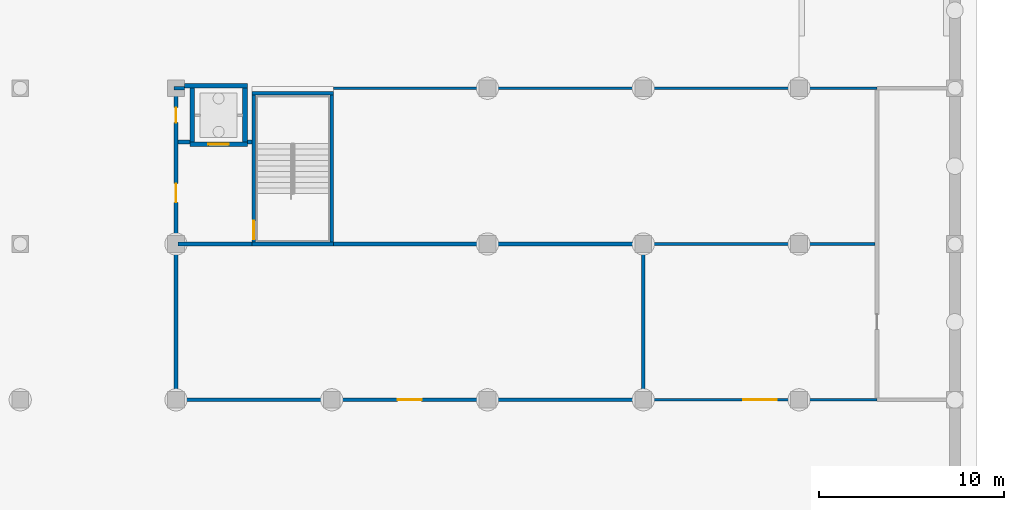
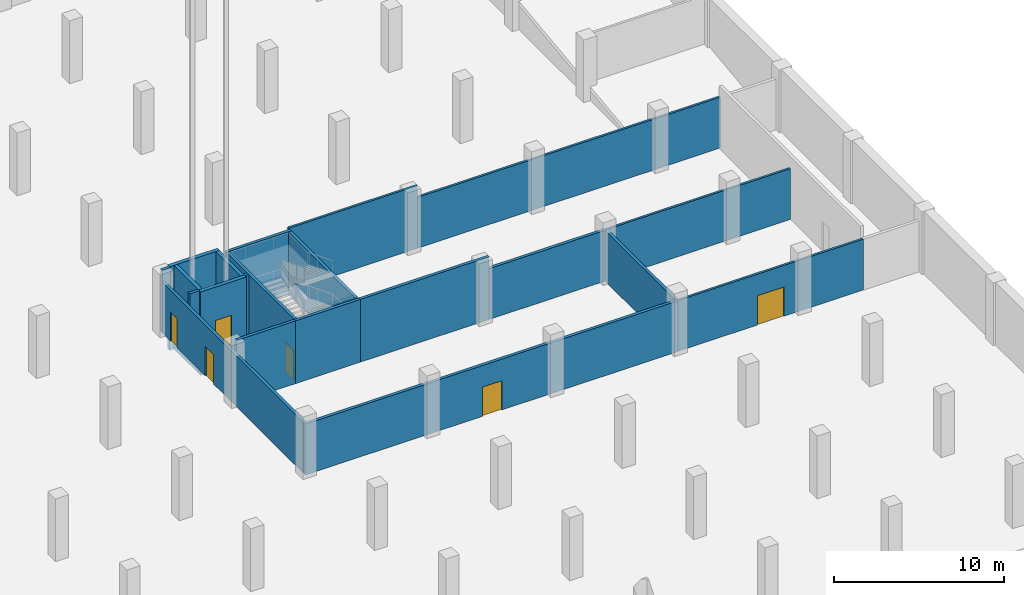
# One storey, part 5 of 26: 21 walls, 6 doors, 6 openings.
"""IFC4 building model written with IfcOpenShell, lengths in metres."""

from ifc_helpers import new_model, si_unit, direction, frame, frame_2d, origin, place, context, subcontext, project, spatial, rectangle, extrude, material, layer, layer_set, type_object, element, fill, save


model = new_model("IFC4")

# Units and contexts
model_context = context("Model", 3, precision=1e-05, world=origin(), true_north=direction((0.0, 1.0)))
body_context = subcontext(model_context, "Body", "Model", "MODEL_VIEW")
ifc_project = project(units=[si_unit("LENGTHUNIT", "METRE"), si_unit("AREAUNIT", "SQUARE_METRE"), si_unit("VOLUMEUNIT", "CUBIC_METRE"), si_unit("PLANEANGLEUNIT", "RADIAN"), si_unit("MASSUNIT", "GRAM", prefix="KILO")], contexts=[model_context])

# Site, building, storey
site_placement = place(None, origin())
site = spatial("IfcSite", under=ifc_project, at=site_placement, CompositionType="ELEMENT")
building_placement = place(site_placement, origin())
building = spatial("IfcBuilding", under=site, at=building_placement, Name="Rulbaag Community and Learning Centre", CompositionType="ELEMENT")
storey_placement = place(building_placement, frame((0.0, 0.0, -9.60009765625)))
storey = spatial("IfcBuildingStorey", under=building, at=storey_placement, Name="B2", CompositionType="ELEMENT", Elevation=-9.60009765625)

# Wall, opening, door
ifc_material_1 = material(Name="Concrete blockwork", Category="masonry")
ifc_layer_1 = layer(ifc_material_1, 0.199951171875)
ifc_layer_set_1 = layer_set([ifc_layer_1], Name="FW-200 FIRE WALL 200")
wall_type_1 = type_object("IfcWallType", Name="FW-200 FIRE WALL 200", PredefinedType="SOLIDWALL", material=ifc_layer_set_1)
wall_1_placement = place(storey_placement, frame((125.89990234375, 33.60009765625, 0.0), z_axis=(0.0, 0.0, 1.0), x_axis=(1.0, 0.0, 0.0)))
wall_1 = element("IfcWall", 1, at=wall_1_placement, inside=storey, type_object=wall_type_1, Name="Fire wall B2 1", PredefinedType="SOLIDWALL", context=body_context, shape_type="SweptSolid", body=[
    extrude(rectangle(XDim=25.300048828125, YDim=0.199951171875, at=frame_2d((12.64990234375, 0.0))), origin(), (0.0, 0.0, 1.0), 3.650146484375),
])
opening_1_placement = place(wall_1_placement, frame((12.050048828125, 0.0, 0.0)))
opening_1 = element("IfcOpeningElement", 2, at=opening_1_placement, cuts=wall_1, Name="Opening B2-D005", PredefinedType="OPENING", context=body_context, shape_type="SweptSolid", body=[
    extrude(rectangle(XDim=1.300048828125, YDim=2.10009765625, at=frame_2d((0.64990234375, 1.050048828125))), frame((0.0, 0.10986328125, 0.0), z_axis=(0.0, -1.0, 0.0), x_axis=(1.0, 0.0, 0.0)), (0.0, 0.0, 1.0), 0.219970703125),
])
ifc_material_2 = material(Name="Timber", Category="wood")
door_type_1 = type_object("IfcDoorType", Name="D-1300 REFUSE AND PUMP ROOM DOOR 1300 x 2100", OperationType="SINGLE_SWING_LEFT", PredefinedType="DOOR", material=ifc_material_2)
door_1_placement = place(opening_1_placement, origin())
door_1 = element("IfcDoor", 3, at=door_1_placement, inside=storey, type_object=door_type_1, Name="Door B2-D005", OperationType="SINGLE_SWING_LEFT", OverallHeight=2.10009765625, OverallWidth=1.300048828125, PredefinedType="DOOR", context=body_context, shape_type="SweptSolid", body=[
    extrude(rectangle(XDim=1.300048828125, YDim=2.10009765625, at=frame_2d((0.64990234375, 1.050048828125))), frame((0.0, 0.02490234375, 0.0), z_axis=(0.0, -1.0, 0.0), x_axis=(1.0, 0.0, 0.0)), (0.0, 0.0, 1.0), 0.050048828125),
])
fill(opening_1, door_1)

# Walls
wall_2_placement = place(storey_placement, frame((126.10009765625, 42.0, 0.0), z_axis=(0.0, 0.0, 1.0), x_axis=(1.0, 0.0, 0.0)))
element("IfcWall", 4, at=wall_2_placement, inside=storey, type_object=wall_type_1, Name="Fire wall B2 4", PredefinedType="SOLIDWALL", context=body_context, shape_type="SweptSolid", body=[
    extrude(rectangle(XDim=4.0, YDim=0.199951171875, at=frame_2d((2.0, 0.0))), origin(), (0.0, 0.0, 1.0), 4.5),
])
wall_3_placement = place(storey_placement, frame((134.5, 42.0, 0.0), z_axis=(0.0, 0.0, 1.0), x_axis=(1.0, 0.0, 0.0)))
element("IfcWall", 5, at=wall_3_placement, inside=storey, type_object=wall_type_1, Name="Fire wall B2 5", PredefinedType="SOLIDWALL", context=body_context, shape_type="SweptSolid", body=[
    extrude(rectangle(XDim=8.72998046875, YDim=0.199951171875, at=frame_2d((4.364990234375, 0.0))), origin(), (0.0, 0.0, 1.0), 4.5),
])
wall_4_placement = place(storey_placement, frame((143.22998046875, 42.0, 0.0), z_axis=(0.0, 0.0, 1.0), x_axis=(1.0, 0.0, 0.0)))
element("IfcWall", 6, at=wall_4_placement, inside=storey, type_object=wall_type_1, Name="Fire wall B2 5.2", PredefinedType="SOLIDWALL", context=body_context, shape_type="SweptSolid", body=[
    extrude(rectangle(XDim=7.969970703125, YDim=0.199951171875, at=frame_2d((3.98486328125, 0.0))), origin(), (0.0, 0.0, 1.0), 3.650146484375),
])
wall_5_placement = place(storey_placement, frame((126.10009765625, 47.5, 0.0), z_axis=(0.0, 0.0, 1.0), x_axis=(1.0, 0.0, 0.0)))
element("IfcWall", 7, at=wall_5_placement, inside=storey, type_object=wall_type_1, Name="Fire wall B2 7", PredefinedType="SOLIDWALL", context=body_context, shape_type="SweptSolid", body=[
    extrude(rectangle(XDim=0.64990234375, YDim=0.199951171875, at=frame_2d((0.324951171875, 0.0))), origin(), (0.0, 0.0, 1.0), 4.5),
])
wall_6_placement = place(storey_placement, frame((129.85009765625, 47.5, 0.0), z_axis=(0.0, 0.0, 1.0), x_axis=(1.0, 0.0, 0.0)))
element("IfcWall", 8, at=wall_6_placement, inside=storey, type_object=wall_type_1, Name="Fire wall B2 8", PredefinedType="SOLIDWALL", context=body_context, shape_type="SweptSolid", body=[
    extrude(rectangle(XDim=0.25, YDim=0.199951171875, at=frame_2d((0.125, 0.0))), origin(), (0.0, 0.0, 1.0), 4.5),
])
wall_7_placement = place(storey_placement, frame((125.89990234375, 50.39990234375, 0.0), z_axis=(0.0, 0.0, 1.0), x_axis=(1.0, 0.0, 0.0)))
element("IfcWall", 9, at=wall_7_placement, inside=storey, type_object=wall_type_1, Name="Fire wall B2 9", PredefinedType="SOLIDWALL", context=body_context, shape_type="SweptSolid", body=[
    extrude(rectangle(XDim=0.550048828125, YDim=0.199951171875, at=frame_2d((0.27490234375, 0.0))), origin(), (0.0, 0.0, 1.0), 4.5),
])

# Wall, openings, doors
wall_8_placement = place(storey_placement, frame((126.0, 33.699951171875, 0.0), z_axis=(0.0, 0.0, 1.0), x_axis=(0.0, 1.0, 0.0)))
wall_8 = element("IfcWall", 10, at=wall_8_placement, inside=storey, type_object=wall_type_1, Name="Fire wall B2 21", PredefinedType="SOLIDWALL", context=body_context, shape_type="SweptSolid", body=[
    extrude(rectangle(XDim=16.60009765625, YDim=0.199951171875, at=frame_2d((8.300048828125, 0.0))), origin(), (0.0, 0.0, 1.0), 3.650146484375),
])
opening_2_placement = place(wall_8_placement, frame((14.85009765625, 0.0, 0.0)))
opening_2 = element("IfcOpeningElement", 11, at=opening_2_placement, cuts=wall_8, Name="Opening B2-D002", PredefinedType="OPENING", context=body_context, shape_type="SweptSolid", body=[
    extrude(rectangle(XDim=0.800048828125, YDim=2.10009765625, at=frame_2d((0.39990234375, 1.050048828125))), frame((0.0, 0.10986328125, 0.0), z_axis=(0.0, -1.0, 0.0), x_axis=(1.0, 0.0, 0.0)), (0.0, 0.0, 1.0), 0.219970703125),
])
opening_3_placement = place(wall_8_placement, frame((10.550048828125, 0.0, 0.0)))
opening_3 = element("IfcOpeningElement", 12, at=opening_3_placement, cuts=wall_8, Name="Opening B2-D001", PredefinedType="OPENING", context=body_context, shape_type="SweptSolid", body=[
    extrude(rectangle(XDim=1.0, YDim=2.10009765625, at=frame_2d((0.5, 1.050048828125))), frame((0.0, 0.10986328125, 0.0), z_axis=(0.0, -1.0, 0.0), x_axis=(1.0, 0.0, 0.0)), (0.0, 0.0, 1.0), 0.219970703125),
])
ifc_material_3 = material(Name="Galvanised steel", Category="steel")
door_type_2 = type_object("IfcDoorType", Name="FD-1000 FIRE DOOR 1000 x 2100", OperationType="SINGLE_SWING_LEFT", PredefinedType="DOOR", material=ifc_material_3)
door_2_placement = place(opening_3_placement, origin())
door_2 = element("IfcDoor", 13, at=door_2_placement, inside=storey, type_object=door_type_2, Name="Door B2-D001", OperationType="SINGLE_SWING_RIGHT", OverallHeight=2.10009765625, OverallWidth=1.0, PredefinedType="DOOR", context=body_context, shape_type="SweptSolid", body=[
    extrude(rectangle(XDim=1.0, YDim=2.10009765625, at=frame_2d((0.5, 1.050048828125))), frame((0.0, 0.02490234375, 0.0), z_axis=(0.0, -1.0, 0.0), x_axis=(1.0, 0.0, 0.0)), (0.0, 0.0, 1.0), 0.050048828125),
])
fill(opening_3, door_2)
door_type_3 = type_object("IfcDoorType", Name="FDR-800 RISER FIRE DOOR 800 x 2100", OperationType="SINGLE_SWING_LEFT", PredefinedType="DOOR", material=ifc_material_3)
door_3_placement = place(opening_2_placement, origin())
door_3 = element("IfcDoor", 14, at=door_3_placement, inside=storey, type_object=door_type_3, Name="Riser door B2-D015", OperationType="SINGLE_SWING_RIGHT", OverallHeight=2.10009765625, OverallWidth=0.800048828125, PredefinedType="DOOR", context=body_context, shape_type="SweptSolid", body=[
    extrude(rectangle(XDim=0.800048828125, YDim=2.10009765625, at=frame_2d((0.39990234375, 1.050048828125))), frame((0.0, 0.02490234375, 0.0), z_axis=(0.0, -1.0, 0.0), x_axis=(1.0, 0.0, 0.0)), (0.0, 0.0, 1.0), 0.050048828125),
])
fill(opening_2, door_3)

# Wall
wall_9_placement = place(storey_placement, frame((151.199951171875, 33.699951171875, 0.0), z_axis=(0.0, 0.0, 1.0), x_axis=(0.0, 1.0, 0.0)))
element("IfcWall", 15, at=wall_9_placement, inside=storey, type_object=wall_type_1, Name="Fire wall B2 27", PredefinedType="SOLIDWALL", context=body_context, shape_type="SweptSolid", body=[
    extrude(rectangle(XDim=8.199951171875, YDim=0.199951171875, at=frame_2d((4.10009765625, 0.0))), origin(), (0.0, 0.0, 1.0), 3.650146484375),
])

# Wall, opening, door
ifc_layer_2 = layer(ifc_material_1, 0.14990234375)
ifc_layer_set_2 = layer_set([ifc_layer_2], Name="IP-150 PARTITION 150")
wall_type_2 = type_object("IfcWallType", Name="IP-150 PARTITION 150", PredefinedType="PARTITIONING", material=ifc_layer_set_2)
wall_10_placement = place(storey_placement, frame((151.199951171875, 33.60009765625, 0.0), z_axis=(0.0, 0.0, 1.0), x_axis=(1.0, 0.0, 0.0)))
wall_10 = element("IfcWall", 16, at=wall_10_placement, inside=storey, type_object=wall_type_2, Name="Partition B2 2", PredefinedType="PARTITIONING", context=body_context, shape_type="SweptSolid", body=[
    extrude(rectangle(XDim=12.60009765625, YDim=0.14990234375, at=frame_2d((6.300048828125, 0.0))), origin(), (0.0, 0.0, 1.0), 3.650146484375),
])
opening_4_placement = place(wall_10_placement, frame((5.39990234375, 0.0, 0.0)))
opening_4 = element("IfcOpeningElement", 17, at=opening_4_placement, cuts=wall_10, Name="Opening B2-D017", PredefinedType="OPENING", context=body_context, shape_type="SweptSolid", body=[
    extrude(rectangle(XDim=1.800048828125, YDim=2.10009765625, at=frame_2d((0.89990234375, 1.050048828125))), frame((0.0, 0.0849609375, 0.0), z_axis=(0.0, -1.0, 0.0), x_axis=(1.0, 0.0, 0.0)), (0.0, 0.0, 1.0), 0.169921875),
])
door_type_4 = type_object("IfcDoorType", Name="D-1800 BASEMENT STORE DOUBLE DOOR 1800 x 2100", OperationType="DOUBLE_DOOR_SINGLE_SWING", PredefinedType="DOOR", material=ifc_material_2)
door_4_placement = place(opening_4_placement, origin())
door_4 = element("IfcDoor", 18, at=door_4_placement, inside=storey, type_object=door_type_4, Name="Door B2-D017", OperationType="DOUBLE_DOOR_SINGLE_SWING", OverallHeight=2.10009765625, OverallWidth=1.800048828125, PredefinedType="DOOR", context=body_context, shape_type="SweptSolid", body=[
    extrude(rectangle(XDim=1.800048828125, YDim=2.10009765625, at=frame_2d((0.89990234375, 1.050048828125))), frame((0.0, 0.02490234375, 0.0), z_axis=(0.0, -1.0, 0.0), x_axis=(1.0, 0.0, 0.0)), (0.0, 0.0, 1.0), 0.050048828125),
])
fill(opening_4, door_4)

# Walls
wall_11_placement = place(storey_placement, frame((151.199951171875, 42.0, 0.0), z_axis=(0.0, 0.0, 1.0), x_axis=(1.0, 0.0, 0.0)))
element("IfcWall", 19, at=wall_11_placement, inside=storey, type_object=wall_type_2, Name="Partition B2 6", PredefinedType="PARTITIONING", context=body_context, shape_type="SweptSolid", body=[
    extrude(rectangle(XDim=12.5, YDim=0.14990234375, at=frame_2d((6.25, 0.0))), origin(), (0.0, 0.0, 1.0), 3.650146484375),
])
wall_12_placement = place(storey_placement, frame((134.5, 50.39990234375, 0.0), z_axis=(0.0, 0.0, 1.0), x_axis=(1.0, 0.0, 0.0)))
element("IfcWall", 20, at=wall_12_placement, inside=storey, type_object=wall_type_2, Name="Partition B2 10", PredefinedType="PARTITIONING", context=body_context, shape_type="SweptSolid", body=[
    extrude(rectangle(XDim=8.72998046875, YDim=0.14990234375, at=frame_2d((4.364990234375, 0.0))), origin(), (0.0, 0.0, 1.0), 4.5),
])
wall_13_placement = place(storey_placement, frame((143.22998046875, 50.39990234375, 0.0), z_axis=(0.0, 0.0, 1.0), x_axis=(1.0, 0.0, 0.0)))
element("IfcWall", 21, at=wall_13_placement, inside=storey, type_object=wall_type_2, Name="Partition B2 10.2", PredefinedType="PARTITIONING", context=body_context, shape_type="SweptSolid", body=[
    extrude(rectangle(XDim=20.570068359375, YDim=0.14990234375, at=frame_2d((10.28515625, 0.0))), origin(), (0.0, 0.0, 1.0), 3.650146484375),
])

# Wall, opening, door
ifc_material_4 = material(Name="Concrete M40", Category="concrete")
ifc_layer_3 = layer(ifc_material_4, 0.25)
ifc_layer_set_3 = layer_set([ifc_layer_3], Name="W8 Lift shaft wall 250 Concrete M40")
wall_type_3 = type_object("IfcWallType", Name="W8 Lift shaft wall 250 Concrete M40", PredefinedType="SHEAR", material=ifc_layer_set_3)
wall_14_placement = place(storey_placement, frame((126.75, 47.375, -1.5), z_axis=(0.0, 0.0, 1.0), x_axis=(1.0, 0.0, 0.0)))
wall_14 = element("IfcWall", 22, at=wall_14_placement, inside=storey, type_object=wall_type_3, Name="WL-LH3-S-B2", PredefinedType="SHEAR", context=body_context, shape_type="SweptSolid", body=[
    extrude(rectangle(XDim=3.10009765625, YDim=0.25, at=frame_2d((1.550048828125, 0.0))), origin(), (0.0, 0.0, 1.0), 6.0),
])
opening_5_placement = place(wall_14_placement, frame((1.0, 0.0, 1.5)))
opening_5 = element("IfcOpeningElement", 23, at=opening_5_placement, cuts=wall_14, Name="Opening B2-D003", PredefinedType="OPENING", context=body_context, shape_type="SweptSolid", body=[
    extrude(rectangle(XDim=1.10009765625, YDim=2.10009765625, at=frame_2d((0.550048828125, 1.050048828125))), frame((0.0, 0.135009765625, 0.0), z_axis=(0.0, -1.0, 0.0), x_axis=(1.0, 0.0, 0.0)), (0.0, 0.0, 1.0), 0.27001953125),
])
ifc_material_5 = material(Name="Stainless steel grade 304", Category="steel")
door_type_5 = type_object("IfcDoorType", Name="LD-1100 LIFT LANDING DOOR 1100 x 2100", OperationType="SLIDING_TO_LEFT", PredefinedType="DOOR", material=ifc_material_5)
door_5_placement = place(opening_5_placement, origin())
door_5 = element("IfcDoor", 24, at=door_5_placement, inside=storey, type_object=door_type_5, Name="Lift landing door LH3 B2", OperationType="SLIDING_TO_LEFT", OverallHeight=2.10009765625, OverallWidth=1.10009765625, PredefinedType="DOOR", context=body_context, shape_type="SweptSolid", body=[
    extrude(rectangle(XDim=1.10009765625, YDim=2.10009765625, at=frame_2d((0.550048828125, 1.050048828125))), frame((0.0, 0.02490234375, 0.0), z_axis=(0.0, -1.0, 0.0), x_axis=(1.0, 0.0, 0.0)), (0.0, 0.0, 1.0), 0.050048828125),
])
fill(opening_5, door_5)

# Walls
wall_15_placement = place(storey_placement, frame((126.449951171875, 50.52490234375, -1.5), z_axis=(0.0, 0.0, 1.0), x_axis=(1.0, 0.0, 0.0)))
element("IfcWall", 25, at=wall_15_placement, inside=storey, type_object=wall_type_3, Name="WL-LH3-N-B2", PredefinedType="SHEAR", context=body_context, shape_type="SweptSolid", body=[
    extrude(rectangle(XDim=3.400146484375, YDim=0.25, at=frame_2d((1.7001953125, 0.0))), origin(), (0.0, 0.0, 1.0), 6.0),
])
for number, where, z_axis, x_axis, name in (
    (26, (126.875, 47.5, -1.5), (0.0, 0.0, 1.0), (0.0, 1.0, 0.0), "WL-LH3-W-B2"),
    (27, (129.72509765625, 47.5, -1.5), (0.0, 0.0, 1.0), (0.0, 1.0, 0.0), "WL-LH3-E-B2"),
):
    element("IfcWall", number, at=place(storey_placement, frame(where, z_axis=z_axis, x_axis=x_axis)), inside=storey, type_object=wall_type_3, Name=name, PredefinedType="SHEAR", context=body_context, shape_type="SweptSolid", body=[
        extrude(rectangle(XDim=2.89990234375, YDim=0.25, at=frame_2d((1.449951171875, 0.0))), origin(), (0.0, 0.0, 1.0), 6.0),
    ])
ifc_layer_4 = layer(ifc_material_4, 0.199951171875)
ifc_layer_set_4 = layer_set([ifc_layer_4], Name="WSE Stair enclosure wall 200 Concrete M40")
wall_type_4 = type_object("IfcWallType", Name="WSE Stair enclosure wall 200 Concrete M40", PredefinedType="SHEAR", material=ifc_layer_set_4)
for number, where, z_axis, x_axis, name in (
    (28, (130.10009765625, 42.0, 0.0), (0.0, 0.0, 1.0), (1.0, 0.0, 0.0), "Stair enclosure wall SH3 S B2"),
    (29, (130.10009765625, 50.125, 0.0), (0.0, 0.0, 1.0), (1.0, 0.0, 0.0), "Stair enclosure wall SH3 N B2"),
):
    element("IfcWall", number, at=place(storey_placement, frame(where, z_axis=z_axis, x_axis=x_axis)), inside=storey, type_object=wall_type_4, Name=name, PredefinedType="SHEAR", context=body_context, shape_type="SweptSolid", body=[
        extrude(rectangle(XDim=4.39990234375, YDim=0.199951171875, at=frame_2d((2.199951171875, 0.0))), origin(), (0.0, 0.0, 1.0), 4.5),
    ])

# Wall, opening, door
wall_16_placement = place(storey_placement, frame((130.199951171875, 42.10009765625, 0.0), z_axis=(0.0, 0.0, 1.0), x_axis=(0.0, 1.0, 0.0)))
wall_16 = element("IfcWall", 30, at=wall_16_placement, inside=storey, type_object=wall_type_4, Name="Stair enclosure wall SH3 W B2", PredefinedType="SHEAR", context=body_context, shape_type="SweptSolid", body=[
    extrude(rectangle(XDim=7.9248046875, YDim=0.199951171875, at=frame_2d((3.96240234375, 0.0))), origin(), (0.0, 0.0, 1.0), 4.5),
])
opening_6_placement = place(wall_16_placement, frame((0.14990234375, 0.0, 0.0)))
opening_6 = element("IfcOpeningElement", 31, at=opening_6_placement, cuts=wall_16, Name="Opening B2-D004", PredefinedType="OPENING", context=body_context, shape_type="SweptSolid", body=[
    extrude(rectangle(XDim=1.0, YDim=2.10009765625, at=frame_2d((0.5, 1.050048828125))), frame((0.0, 0.10986328125, 0.0), z_axis=(0.0, -1.0, 0.0), x_axis=(1.0, 0.0, 0.0)), (0.0, 0.0, 1.0), 0.219970703125),
])
door_6_placement = place(opening_6_placement, origin())
door_6 = element("IfcDoor", 32, at=door_6_placement, inside=storey, type_object=door_type_2, Name="Door B2-D004", OperationType="SINGLE_SWING_LEFT", OverallHeight=2.10009765625, OverallWidth=1.0, PredefinedType="DOOR", context=body_context, shape_type="SweptSolid", body=[
    extrude(rectangle(XDim=1.0, YDim=2.10009765625, at=frame_2d((0.5, 1.050048828125))), frame((0.0, 0.02490234375, 0.0), z_axis=(0.0, -1.0, 0.0), x_axis=(1.0, 0.0, 0.0)), (0.0, 0.0, 1.0), 0.050048828125),
])
fill(opening_6, door_6)

# Wall
wall_17_placement = place(storey_placement, frame((134.39990234375, 42.10009765625, 0.0), z_axis=(0.0, 0.0, 1.0), x_axis=(0.0, 1.0, 0.0)))
element("IfcWall", 33, at=wall_17_placement, inside=storey, type_object=wall_type_4, Name="Stair enclosure wall SH3 E B2", PredefinedType="SHEAR", context=body_context, shape_type="SweptSolid", body=[
    extrude(rectangle(XDim=7.9248046875, YDim=0.199951171875, at=frame_2d((3.96240234375, 0.0))), origin(), (0.0, 0.0, 1.0), 4.5),
])

save(model, "model.ifc")
